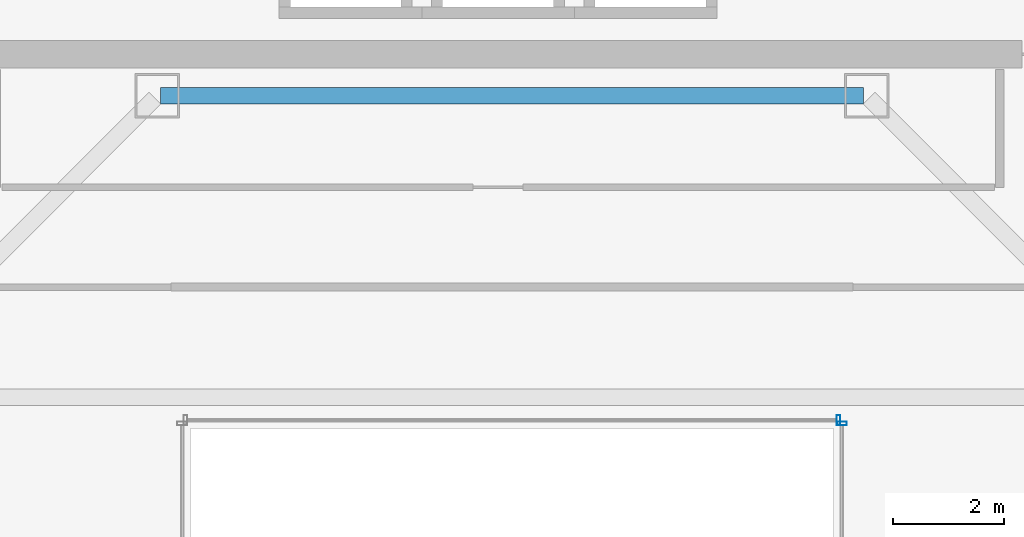
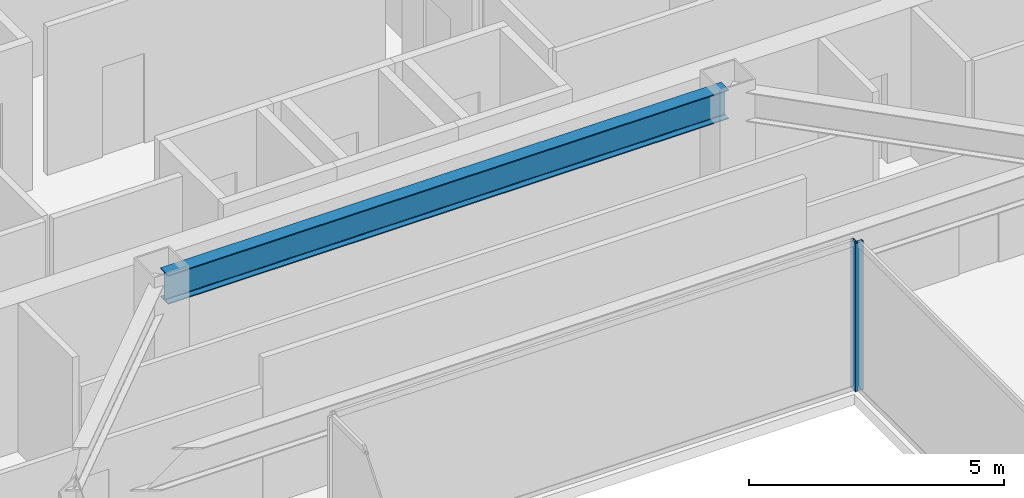
# One storey, part 15 of 35: 2 members, 1 beam, 2 elements without a shape of their own.
"""IFC4 building model written with IfcOpenShell, lengths in metres."""

import ifcopenshell
import ifcopenshell.guid

model = None  # the IFC model being written
_history = None  # IfcOwnerHistory: only IFC2X3 demands one
_inside = {}  # id of a spatial element -> (the spatial element, [elements in it])
_under = {}  # id of a project, library or spatial element -> (it, [spatial elements below it])
_declared = {}  # id of a project -> (the project, [libraries it declares])
_typed = {}  # id of a type object -> (the type object, [elements of that type])
_made_of = {}  # id of a material, layer set ... -> (it, [elements and type objects made of it])


def new_model(schema):
    """Start an empty IFC model of exactly this schema.

    Asked for "IFC4X3", IfcOpenShell would pick the latest addendum, in which some entities
    have other attributes; the version numbers below select the first issue.
    IFC2X3 requires an IfcOwnerHistory on every rooted entity: one is made here for all.
    """
    global model, _history
    if schema == "IFC4X3":
        model = ifcopenshell.file(schema_version=(4, 3, 0, 0))
    else:
        model = ifcopenshell.file(schema=schema)
    _inside.clear()
    _under.clear()
    _declared.clear()
    _typed.clear()
    _made_of.clear()
    _history = None
    if model.schema == "IFC2X3":
        org = make("IfcOrganization", Name="unknown")
        user = make(
            "IfcPersonAndOrganization",
            ThePerson=make("IfcPerson", FamilyName="unknown"),
            TheOrganization=org,
        )
        app = make(
            "IfcApplication",
            ApplicationDeveloper=org,
            Version="unknown",
            ApplicationFullName="unknown",
            ApplicationIdentifier="unknown",
        )
        _history = make(
            "IfcOwnerHistory",
            OwningUser=user,
            OwningApplication=app,
            ChangeAction="ADDED",
            CreationDate=0,
        )
    return model


def make(cls, **values):
    """One entity of the class cls with the attributes given. An attribute that is None is left unset."""
    return model.create_entity(
        cls, **{name: value for name, value in values.items() if value is not None}
    )


def rooted(cls, **values):
    """An entity with a GlobalId (a new one), such as an element, a storey or a relation."""
    return make(cls, GlobalId=ifcopenshell.guid.new(), OwnerHistory=_history, **values)


def si_unit(unit_type, name, prefix=None):
    """IfcSIUnit, for example si_unit("LENGTHUNIT", "METRE", prefix="MILLI")."""
    return make("IfcSIUnit", UnitType=unit_type, Prefix=prefix, Name=name)


def assignment(units):
    """IfcUnitAssignment: the units of a project."""
    return None if units is None else make("IfcUnitAssignment", Units=units)


def point(xyz):
    """IfcCartesianPoint."""
    return None if xyz is None else make("IfcCartesianPoint", Coordinates=xyz)


def direction(xyz):
    """IfcDirection."""
    return None if xyz is None else make("IfcDirection", DirectionRatios=xyz)


def frame(location, z_axis=None, x_axis=None):
    """IfcAxis2Placement3D, a coordinate frame: its origin and axes. An axis left out is left unset."""
    return make(
        "IfcAxis2Placement3D",
        Location=point(location),
        Axis=direction(z_axis),
        RefDirection=direction(x_axis),
    )


def frame_2d(location, x_axis=None):
    """IfcAxis2Placement2D, a coordinate frame in the plane: its origin and x axis."""
    return make(
        "IfcAxis2Placement2D", Location=point(location), RefDirection=direction(x_axis)
    )


def origin():
    """The frame at (0, 0, 0) with its axes left unset."""
    return frame((0.0, 0.0, 0.0))


def origin_2d():
    """The frame at (0, 0) in the plane with its x axis left unset."""
    return frame_2d((0.0, 0.0))


def place(relative_to, where):
    """IfcLocalPlacement: puts the frame where relative to a parent placement (None: the world)."""
    return make(
        "IfcLocalPlacement", PlacementRelTo=relative_to, RelativePlacement=where
    )


def context(
    kind, dimensions, precision=None, world=None, true_north=None, identifier=None
):
    """IfcGeometricRepresentationContext, for example the 3D "Model" context."""
    return make(
        "IfcGeometricRepresentationContext",
        ContextIdentifier=identifier,
        ContextType=kind,
        CoordinateSpaceDimension=dimensions,
        Precision=precision,
        WorldCoordinateSystem=world,
        TrueNorth=true_north,
    )


def subcontext(parent, identifier, kind, view, scale=None):
    """IfcGeometricRepresentationSubContext, for example "Body" below "Model"."""
    return make(
        "IfcGeometricRepresentationSubContext",
        ContextIdentifier=identifier,
        ContextType=kind,
        ParentContext=parent,
        TargetScale=scale,
        TargetView=view,
    )


def project(units=None, contexts=None):
    """IfcProject with its units and contexts."""
    return rooted(
        "IfcProject",
        Name="project",
        RepresentationContexts=contexts,
        UnitsInContext=assignment(units),
    )


def spatial(cls, under=None, at=None, **own):
    """A site, building, storey or space (cls), placed at a placement, below another one or the project."""
    s = rooted(cls, ObjectPlacement=at, **own)
    if under is not None:
        _under.setdefault(under.id(), (under, []))[1].append(s)
    return s


def profile(cls, at=None, kind="AREA", **sizes):
    """A parametric profile (cls). Its sizes go by their IFC names, for example OverallWidth=200.0."""
    return make(cls, ProfileType=kind, Position=at, **sizes)


def hollow_rectangle(**sizes):
    """IfcRectangleHollowProfileDef."""
    return profile("IfcRectangleHollowProfileDef", **sizes)


def i_section(**sizes):
    """IfcIShapeProfileDef."""
    return profile("IfcIShapeProfileDef", **sizes)


def extrude(swept, where, along, depth):
    """IfcExtrudedAreaSolid: the profile swept, set in the frame where, extruded along a direction by depth."""
    return make(
        "IfcExtrudedAreaSolid",
        SweptArea=swept,
        Position=where,
        ExtrudedDirection=direction(along),
        Depth=depth,
    )


def shape(context_of_items, identifier, shape_type, items):
    """IfcShapeRepresentation: the items that make up one representation, for example the "Body"."""
    return make(
        "IfcShapeRepresentation",
        ContextOfItems=context_of_items,
        RepresentationIdentifier=identifier,
        RepresentationType=shape_type,
        Items=items,
    )


def material(Name=None, Category=None):
    """IfcMaterial."""
    return make("IfcMaterial", Name=Name, Category=Category)


def material_profile(
    of_material, cross_section, Name=None, Category=None, Priority=None
):
    """IfcMaterialProfile: a cross section and its material."""
    return make(
        "IfcMaterialProfile",
        Name=Name,
        Material=of_material,
        Profile=cross_section,
        Priority=Priority,
        Category=Category,
    )


def profile_set(profiles, Name=None, composite=None):
    """IfcMaterialProfileSet."""
    return make(
        "IfcMaterialProfileSet",
        Name=Name,
        MaterialProfiles=profiles,
        CompositeProfile=composite,
    )


def made_of(thing, what):
    """Note that an element or type object is made of a material, layer set ...; save() writes the relation."""
    if what is not None:
        _made_of.setdefault(what.id(), (what, []))[1].append(thing)
    return thing


def type_object(cls, material=None, **own):
    """A type object (cls), such as IfcWallType, which elements share."""
    return made_of(rooted(cls, **own), material)


def element(
    cls,
    number,
    at=None,
    inside=None,
    cuts=None,
    type_object=None,
    material=None,
    context=None,
    identifier="Body",
    shape_type=None,
    held_by="IfcProductDefinitionShape",
    body=None,
    shapes=None,
    **own,
):
    """One element of the class cls, such as IfcWall. Its Tag is "e" and its number.

    at: its placement. inside: the storey or other place that contains it. cuts: it is an
    opening in that element (IfcRelVoidsElement). A single representation is given by context,
    identifier, shape_type and body (its items); several are given by shapes. held_by: the class
    of the entity that holds the representations. save() writes the other relations.
    """
    e = rooted(cls, Tag="e%d" % number, ObjectPlacement=at, **own)
    if body is not None:
        shapes = [shape(context, identifier, shape_type, body)]
    if shapes is not None:
        e.Representation = make(held_by, Representations=shapes)
    if inside is not None:
        _inside.setdefault(inside.id(), (inside, []))[1].append(e)
    if cuts is not None:
        rooted(
            "IfcRelVoidsElement", RelatingBuildingElement=cuts, RelatedOpeningElement=e
        )
    if type_object is not None:
        _typed.setdefault(type_object.id(), (type_object, []))[1].append(e)
    return made_of(e, material)


def aggregate(whole, parts):
    """IfcRelAggregates: a whole, such as a stair, and the parts it consists of."""
    return rooted("IfcRelAggregates", RelatingObject=whole, RelatedObjects=parts)


def save(model, path):
    """Write the relations noted so far, then the file.

    IfcRelAggregates (storeys below a building ...), IfcRelContainedInSpatialStructure (elements
    in a storey), IfcRelDefinesByType, IfcRelAssociatesMaterial and IfcRelDeclares: one each for
    every whole, place, type object, material and project.
    """
    for whole, parts in _under.values():
        aggregate(whole, parts)
    for where, things in _inside.values():
        rooted(
            "IfcRelContainedInSpatialStructure",
            RelatedElements=things,
            RelatingStructure=where,
        )
    for kind, things in _typed.values():
        rooted("IfcRelDefinesByType", RelatedObjects=things, RelatingType=kind)
    for what, things in _made_of.values():
        rooted("IfcRelAssociatesMaterial", RelatedObjects=things, RelatingMaterial=what)
    for by, libraries in _declared.values():
        rooted("IfcRelDeclares", RelatingContext=by, RelatedDefinitions=libraries)
    model.write(path)


model = new_model("IFC4")

# Units and contexts
model_context = context("Model", 3, precision=1e-05, world=origin(), true_north=direction((0.0, 1.0)))
body_context = subcontext(model_context, "Body", "Model", "MODEL_VIEW")
ifc_project = project(units=[si_unit("LENGTHUNIT", "METRE"), si_unit("AREAUNIT", "SQUARE_METRE"), si_unit("VOLUMEUNIT", "CUBIC_METRE"), si_unit("PLANEANGLEUNIT", "RADIAN"), si_unit("MASSUNIT", "GRAM", prefix="KILO")], contexts=[model_context])

# Site, building, storey
site_placement = place(None, origin())
site = spatial("IfcSite", under=ifc_project, at=site_placement, CompositionType="ELEMENT")
building_placement = place(site_placement, origin())
building = spatial("IfcBuilding", under=site, at=building_placement, Name="Saevonmaru Cultural Tower", CompositionType="ELEMENT")
storey_placement = place(building_placement, frame((0.0, 0.0, 217.0)))
storey = spatial("IfcBuildingStorey", under=building, at=storey_placement, Name="L50", CompositionType="ELEMENT", Elevation=217.0)

# Beam
ifc_material_1 = material(Name="Steel SM355", Category="steel")
ifc_material_profile_1 = material_profile(ifc_material_1, i_section(OverallWidth=0.300048828125, OverallDepth=0.699951171875, WebThickness=0.012939453125, FlangeThickness=0.02392578125, FilletRadius=0.02587890625, at=origin_2d()), Name="H-700x300x13x24")
ifc_profile_set_1 = profile_set([ifc_material_profile_1], Name="Steel SM355")
beam_type = type_object("IfcBeamType", Name="BM-G-H700", PredefinedType="BEAM", material=ifc_profile_set_1)
beam_placement = place(storey_placement, frame((23.659912109375, 42.39990234375, 3.199951171875), z_axis=(1.0, 0.0, 0.0), x_axis=(0.0, 1.0, 0.0)))
element("IfcBeam", 1, at=beam_placement, inside=storey, type_object=beam_type, Name="L50 Core South Girder 3", PredefinedType="BEAM", context=body_context, shape_type="SweptSolid", body=[
    extrude(i_section(OverallWidth=0.300048828125, OverallDepth=0.699951171875, WebThickness=0.012939453125, FlangeThickness=0.02392578125, FilletRadius=0.02587890625, at=origin_2d()), origin(), (0.0, 0.0, 1.0), 12.68017578125),
])

# Curtain wall, member
ifc_material_2 = material(Name="Satin Bronze Anodised Aluminium", Category="aluminium")
curtain_wall_type = type_object("IfcCurtainWallType", Name="CW-ATR-GLZ", PredefinedType="NOTDEFINED", material=ifc_material_2)
curtain_wall_1_placement = place(storey_placement, origin())
curtain_wall_1 = element("IfcCurtainWall", 2, at=curtain_wall_1_placement, inside=storey, type_object=curtain_wall_type, Name="L50 Vertical Atrium Glazed Smoke Screen 2", PredefinedType="NOTDEFINED")
ifc_material_profile_2 = material_profile(ifc_material_2, hollow_rectangle(XDim=0.06494140625, YDim=0.179931640625, WallThickness=0.00390625, at=origin_2d()), Name="ALU-MULL-180x65x4")
ifc_profile_set_2 = profile_set([ifc_material_profile_2], Name="Satin Bronze Anodised Aluminium")
member_type = type_object("IfcMemberType", Name="ML-CW-INT-180x65", PredefinedType="MULLION", material=ifc_profile_set_2)
member_1_placement = place(storey_placement, frame((35.949951171875, 36.489990234375, 0.0), z_axis=(0.0, 0.0, 1.0), x_axis=(0.0, 1.0, 0.0)))
member_1 = element("IfcMember", 3, at=member_1_placement, type_object=member_type, Name="CW-ATR-L50-2 mullion 2", PredefinedType="MULLION", context=body_context, shape_type="SweptSolid", body=[
    extrude(hollow_rectangle(XDim=0.06494140625, YDim=0.179931640625, WallThickness=0.00390625, at=origin_2d()), origin(), (0.0, 0.0, 1.0), 3.550048828125),
])
aggregate(curtain_wall_1, [member_1])

curtain_wall_2_placement = place(storey_placement, origin())
curtain_wall_2 = element("IfcCurtainWall", 4, at=curtain_wall_2_placement, inside=storey, type_object=curtain_wall_type, Name="L50 Vertical Atrium Glazed Smoke Screen 3", PredefinedType="NOTDEFINED")
member_2_placement = place(storey_placement, frame((35.889892578125, 36.550048828125, 0.0), z_axis=(0.0, 0.0, 1.0), x_axis=(-1.0, 0.0, 0.0)))
member_2 = element("IfcMember", 5, at=member_2_placement, type_object=member_type, Name="CW-ATR-L50-3 mullion 1", PredefinedType="MULLION", context=body_context, shape_type="SweptSolid", body=[
    extrude(hollow_rectangle(XDim=0.06494140625, YDim=0.179931640625, WallThickness=0.00390625, at=origin_2d()), origin(), (0.0, 0.0, 1.0), 3.550048828125),
])
aggregate(curtain_wall_2, [member_2])

save(model, "model.ifc")
